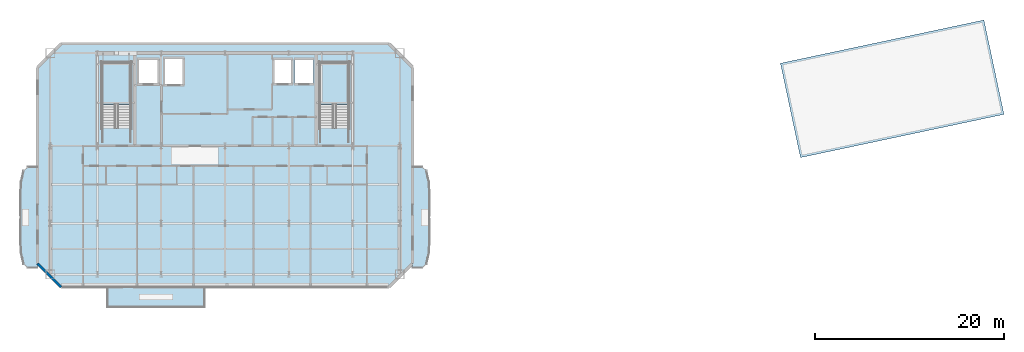
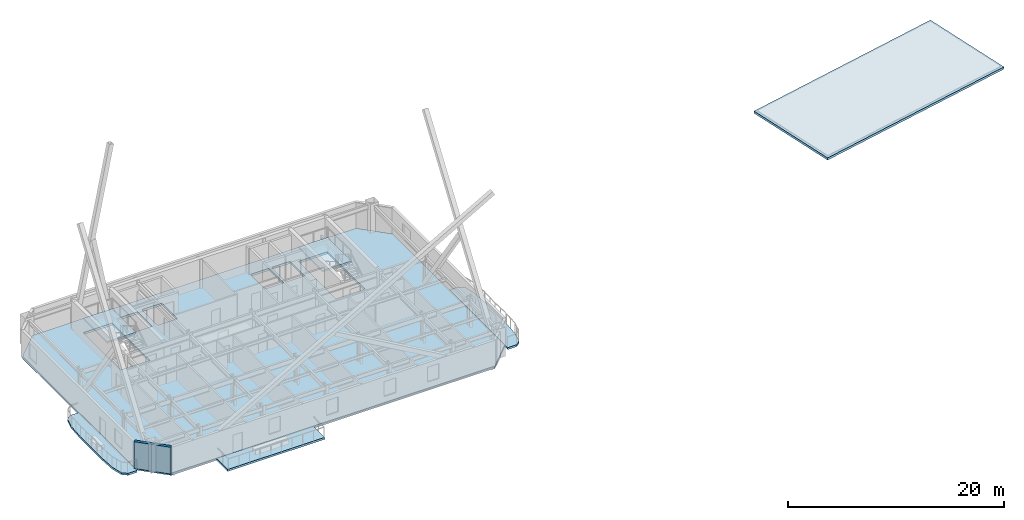
# One storey, part 2 of 9: 7 slabs, 1 wall, 2 elements without a shape of their own.
"""IFC4 building model written with IfcOpenShell, lengths in metres."""

from ifc_helpers import new_model, si_unit, direction, frame, frame_2d, origin, place, context, subcontext, project, spatial, polyline, rectangle, outline, extrude, material, layer, layer_set, type_object, element, aggregate, save


model = new_model("IFC4")

# Units and contexts
model_context = context("Model", 3, precision=1e-05, world=origin(), true_north=direction((0.0, 1.0)))
body_context = subcontext(model_context, "Body", "Model", "MODEL_VIEW")
ifc_project = project(units=[si_unit("LENGTHUNIT", "METRE"), si_unit("AREAUNIT", "SQUARE_METRE"), si_unit("VOLUMEUNIT", "CUBIC_METRE"), si_unit("PLANEANGLEUNIT", "RADIAN"), si_unit("MASSUNIT", "GRAM", prefix="KILO")], contexts=[model_context])

# Site, building, storey
site_placement = place(None, origin())
site = spatial("IfcSite", under=ifc_project, at=site_placement, CompositionType="ELEMENT")
building_placement = place(site_placement, origin())
building = spatial("IfcBuilding", under=site, at=building_placement, Name="Haevon Station Towers", CompositionType="ELEMENT")
storey_placement = place(building_placement, frame((0.0, 0.0, 239.39990234375)))
storey = spatial("IfcBuildingStorey", under=building, at=storey_placement, Name="L66", CompositionType="ELEMENT", Elevation=239.39990234375)

# Slabs
ifc_material_1 = material(Name="Concrete C40/50", Category="concrete")
ifc_layer_1 = layer(ifc_material_1, 0.219970703125)
ifc_layer_set_1 = layer_set([ifc_layer_1], Name="Concrete C40/50")
slab_type_1 = type_object("IfcSlabType", Name="SL-BALC220", PredefinedType="FLOOR", material=ifc_layer_set_1)
slab_1_placement = place(storey_placement, frame((0.0, 0.0, -0.219970703125)))
element("IfcSlab", 1, at=slab_1_placement, inside=storey, type_object=slab_type_1, Name="Tower 1 L66 West SCALLOPED BALCONY", PredefinedType="FLOOR", context=body_context, shape_type="SweptSolid", body=[
    extrude(outline(polyline([(17.669921875, 36.02490234375), (16.681396484375, 36.02490234375), (16.206787109375, 35.614013671875), (15.9267578125, 34.443359375), (15.834228515625, 32.69140625), (15.82373046875, 30.625), (15.834228515625, 28.55859375), (15.9267578125, 26.806640625), (16.206787109375, 25.635986328125), (16.681396484375, 25.22509765625), (17.669921875, 25.22509765625), (17.669921875, 36.02490234375)])), origin(), (0.0, 0.0, 1.0), 0.219970703125),
])
slab_2_placement = place(storey_placement, frame((0.0, 0.0, -0.219970703125)))
element("IfcSlab", 2, at=slab_2_placement, inside=storey, type_object=slab_type_1, Name="Tower 1 L66 East SCALLOPED BALCONY", PredefinedType="FLOOR", context=body_context, shape_type="SweptSolid", body=[
    extrude(outline(polyline([(57.330078125, 25.22509765625), (58.318603515625, 25.22509765625), (58.793212890625, 25.635986328125), (59.0732421875, 26.806640625), (59.165771484375, 28.55859375), (59.17626953125, 30.625), (59.165771484375, 32.69140625), (59.0732421875, 34.443359375), (58.793212890625, 35.614013671875), (58.318603515625, 36.02490234375), (57.330078125, 36.02490234375), (57.330078125, 25.22509765625)])), origin(), (0.0, 0.0, 1.0), 0.219970703125),
])
slab_3_placement = place(storey_placement, frame((0.0, 0.0, -0.219970703125)))
element("IfcSlab", 3, at=slab_3_placement, inside=storey, type_object=slab_type_1, Name="Tower 1 L66 Planted Balcony Band", PredefinedType="FLOOR", context=body_context, shape_type="SweptSolid", body=[
    extrude(outline(polyline([(25.0, 21.14990234375), (35.39990234375, 21.14990234375), (35.39990234375, 23.2451171875), (25.0, 23.2451171875), (25.0, 21.14990234375)])), origin(), (0.0, 0.0, 1.0), 0.219970703125),
])

# Stair, slab
stair_type = type_object("IfcStairType", Name="STR-DL1450", PredefinedType="USERDEFINED", material=ifc_material_1)
stair_1_placement = place(storey_placement, origin())
stair_1 = element("IfcStair", 4, at=stair_1_placement, inside=storey, type_object=stair_type, Name="L66 Escape Stair ST1", ObjectType="TWO_RETURN_STAIR", PredefinedType="USERDEFINED")
ifc_layer_2 = layer(ifc_material_1, 0.199951171875)
ifc_layer_set_2 = layer_set([ifc_layer_2], Name="Concrete C40/50")
slab_type_2 = type_object("IfcSlabType", Name="SL-LND200", PredefinedType="LANDING", material=ifc_layer_set_2)
slab_4_placement = place(storey_placement, frame((0.0, 0.0, 1.4501953125)))
slab_4 = element("IfcSlab", 5, at=slab_4_placement, type_object=slab_type_2, Name="L66 ST1 Half Landing 1", PredefinedType="LANDING", context=body_context, shape_type="SweptSolid", body=[
    extrude(outline(polyline([(27.580078125, 42.56396484375), (27.580078125, 47.0), (24.47998046875, 47.0), (24.47998046875, 42.56396484375), (27.580078125, 42.56396484375)])), origin(), (0.0, 0.0, 1.0), 0.199951171875),
])
aggregate(stair_1, [slab_4])

stair_2_placement = place(storey_placement, origin())
stair_2 = element("IfcStair", 6, at=stair_2_placement, inside=storey, type_object=stair_type, Name="L66 Escape Stair ST2", ObjectType="TWO_RETURN_STAIR", PredefinedType="USERDEFINED")
slab_5_placement = place(storey_placement, frame((0.0, 0.0, 1.4501953125)))
slab_5 = element("IfcSlab", 7, at=slab_5_placement, type_object=slab_type_2, Name="L66 ST2 Half Landing 1", PredefinedType="LANDING", context=body_context, shape_type="SweptSolid", body=[
    extrude(outline(polyline([(50.6201171875, 42.56396484375), (50.6201171875, 47.0), (47.52001953125, 47.0), (47.52001953125, 42.56396484375), (50.6201171875, 42.56396484375)])), origin(), (0.0, 0.0, 1.0), 0.199951171875),
])
aggregate(stair_2, [slab_5])

# Slabs
ifc_layer_3 = layer(ifc_material_1, 0.25)
ifc_layer_set_3 = layer_set([ifc_layer_3], Name="Concrete C40/50")
slab_type_3 = type_object("IfcSlabType", Name="SL-ROOF250", PredefinedType="ROOF", material=ifc_layer_set_3)
slab_6_placement = place(storey_placement, frame((0.0, 0.0, -0.25)))
element("IfcSlab", 8, at=slab_6_placement, inside=storey, type_object=slab_type_3, Name="Tower 2 Headhouse Roof Slab", PredefinedType="ROOF", context=body_context, shape_type="SweptSolid", body=[
    extrude(outline(polyline([(98.346435546875, 36.947265625), (119.86572265625, 41.521240234375), (117.744873046875, 51.498291015625), (96.225830078125, 46.92431640625), (98.346435546875, 36.947265625)])), origin(), (0.0, 0.0, 1.0), 0.25),
])
ifc_layer_4 = layer(ifc_material_1, 0.25)
ifc_layer_set_4 = layer_set([ifc_layer_4], Name="Concrete C40/50")
slab_type_4 = type_object("IfcSlabType", Name="SL-TW250", PredefinedType="FLOOR", material=ifc_layer_set_4)
slab_7_placement = place(storey_placement, frame((0.0, 0.0, -0.25)))
element("IfcSlab", 9, at=slab_7_placement, inside=storey, type_object=slab_type_4, Name="SL-T1-L66", PredefinedType="FLOOR", context=body_context, shape_type="SweptSolid", body=[
    extrude(outline(polyline([(20.175048828125, 23.25), (54.824951171875, 23.25), (57.324951171875, 25.75), (57.324951171875, 46.5), (54.824951171875, 49.0), (20.175048828125, 49.0), (17.675048828125, 46.5), (17.675048828125, 25.75), (20.175048828125, 23.25)]), holes=[polyline([(27.580078125, 40.055908203125), (27.580078125, 47.0), (24.47998046875, 47.0), (24.47998046875, 40.055908203125), (27.580078125, 40.055908203125)]), polyline([(50.6201171875, 40.055908203125), (50.6201171875, 47.0), (47.52001953125, 47.0), (47.52001953125, 40.055908203125), (50.6201171875, 40.055908203125)]), polyline([(28.300048828125, 44.699951171875), (30.5, 44.699951171875), (30.5, 47.39990234375), (28.300048828125, 47.39990234375), (28.300048828125, 44.699951171875)]), polyline([(31.050048828125, 44.60009765625), (33.14990234375, 44.60009765625), (33.14990234375, 47.5), (31.050048828125, 47.5), (31.050048828125, 44.60009765625)]), polyline([(42.60009765625, 44.699951171875), (44.60009765625, 44.699951171875), (44.60009765625, 47.39990234375), (42.60009765625, 47.39990234375), (42.60009765625, 44.699951171875)]), polyline([(44.85009765625, 44.699951171875), (46.85009765625, 44.699951171875), (46.85009765625, 47.39990234375), (44.85009765625, 47.39990234375), (44.85009765625, 44.699951171875)])]), origin(), (0.0, 0.0, 1.0), 0.25),
])

# Wall
ifc_material_2 = material(Name="Precast concrete C45/55", Category="concrete")
ifc_layer_5 = layer(ifc_material_2, 0.280029296875)
ifc_layer_set_5 = layer_set([ifc_layer_5], Name="Precast concrete C45/55")
wall_type = type_object("IfcWallType", Name="WL-EXT-PIER280", PredefinedType="SOLIDWALL", material=ifc_layer_set_5)
wall_placement = place(storey_placement, frame((20.175048828125, 23.25, 0.0), z_axis=(0.0, 0.0, 1.0), x_axis=(-0.707106781187, 0.707106781187, 0.0)))
element("IfcWall", 10, at=wall_placement, inside=storey, type_object=wall_type, Name="WL-T1-L66-SWC", PredefinedType="SOLIDWALL", context=body_context, shape_type="SweptSolid", body=[
    extrude(rectangle(XDim=3.53564453125, YDim=0.280029296875, at=frame_2d((1.767822265625, 0.0))), origin(), (0.0, 0.0, 1.0), 3.030029296875),
])

save(model, "model.ifc")
